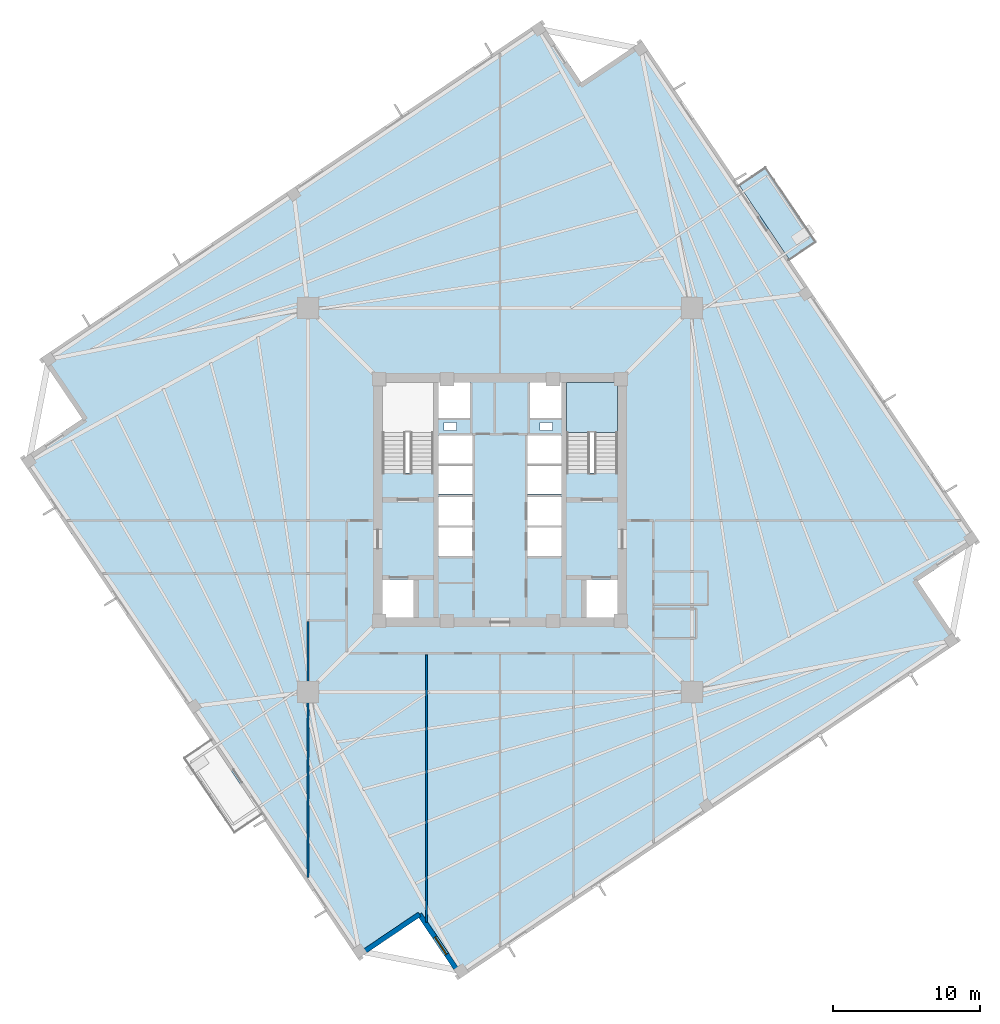
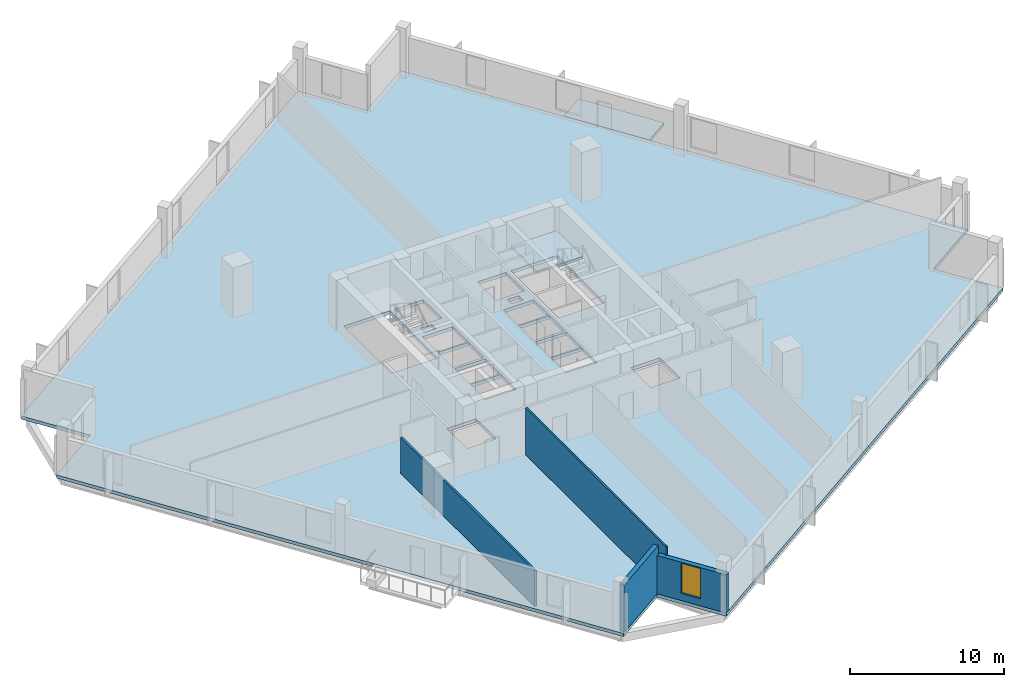
# One storey, part 2 of 9: 4 walls, 3 slabs, 1 window, 1 opening, 1 element without a shape of its own.
"""IFC4 building model written with IfcOpenShell, lengths in metres."""

from ifc_helpers import new_model, si_unit, direction, frame, frame_2d, origin, place, context, subcontext, project, spatial, polyline, rectangle, outline, extrude, source, transform, mapped, material, layer, layer_set, type_object, element, fill, aggregate, save


model = new_model("IFC4")

# Units and contexts
model_context = context("Model", 3, precision=1e-05, world=origin(), true_north=direction((0.0, 1.0)))
body_context = subcontext(model_context, "Body", "Model", "MODEL_VIEW")
ifc_project = project(units=[si_unit("LENGTHUNIT", "METRE"), si_unit("AREAUNIT", "SQUARE_METRE"), si_unit("VOLUMEUNIT", "CUBIC_METRE"), si_unit("PLANEANGLEUNIT", "RADIAN"), si_unit("MASSUNIT", "GRAM", prefix="KILO"), si_unit("THERMODYNAMICTEMPERATUREUNIT", "KELVIN")], contexts=[model_context])

# Site, building, storey
site_placement = place(None, origin())
site = spatial("IfcSite", under=ifc_project, at=site_placement, CompositionType="ELEMENT")
building_placement = place(site_placement, origin())
building = spatial("IfcBuilding", under=site, at=building_placement, Name="Kosmvard Interchange Tower", CompositionType="ELEMENT")
storey_placement = place(building_placement, frame((0.0, 0.0, 144.39990234375)))
storey = spatial("IfcBuildingStorey", under=building, at=storey_placement, Name="L34", CompositionType="ELEMENT", Elevation=144.39990234375)

# Slab
ifc_material_1 = material(Name="Concrete C50/60", Category="concrete")
ifc_layer_1 = layer(ifc_material_1, 0.260009765625, Name="Concrete C50/60")
ifc_layer_set_1 = layer_set([ifc_layer_1], Name="Concrete C50/60")
slab_type_1 = type_object("IfcSlabType", Name="Mid-Rise Office Composite Slab 260 C50/60", PredefinedType="FLOOR", material=ifc_layer_set_1)
slab_1_placement = place(storey_placement, frame((0.0, 0.0, -0.260009765625)))
element("IfcSlab", 1, at=slab_1_placement, inside=storey, type_object=slab_type_1, Name="L34 Structural Floor Slab", PredefinedType="FLOOR", context=body_context, shape_type="SweptSolid", body=[
    extrude(outline(polyline([(-2.73583984375, -32.60400390625), (31.254638671875, -9.677001953125), (28.458740234375, -5.53173828125), (32.60400390625, -2.73583984375), (9.677001953125, 31.254638671875), (5.53173828125, 28.458740234375), (2.73583984375, 32.60400390625), (-31.254638671875, 9.677001953125), (-28.458740234375, 5.53173828125), (-32.60400390625, 2.73583984375), (-9.677001953125, -31.254638671875), (-5.53173828125, -28.458740234375), (-2.73583984375, -32.60400390625)]), holes=[polyline([(-8.0, 1.8349609375), (-4.5400390625, 1.8349609375), (-4.5400390625, 8.0), (-8.0, 8.0), (-8.0, 1.8349609375)]), polyline([(4.5400390625, 1.8349609375), (8.0, 1.8349609375), (8.0, 8.0), (4.5400390625, 8.0), (4.5400390625, 1.8349609375)]), polyline([(-8.0, -8.0), (-5.800048828125, -8.0), (-5.800048828125, -5.39990234375), (-8.0, -5.39990234375), (-8.0, -8.0)]), polyline([(5.800048828125, -8.0), (8.0, -8.0), (8.0, -5.39990234375), (5.800048828125, -5.39990234375), (5.800048828125, -8.0)]), polyline([(-4.179931640625, -3.800048828125), (-1.8798828125, -3.800048828125), (-1.8798828125, -1.860107421875), (-4.179931640625, -1.860107421875), (-4.179931640625, -3.800048828125)]), polyline([(-4.179931640625, -1.739990234375), (-1.8798828125, -1.739990234375), (-1.8798828125, 0.199951171875), (-4.179931640625, 0.199951171875), (-4.179931640625, -1.739990234375)]), polyline([(1.8798828125, -3.800048828125), (4.179931640625, -3.800048828125), (4.179931640625, -1.860107421875), (1.8798828125, -1.860107421875), (1.8798828125, -3.800048828125)]), polyline([(1.8798828125, -1.739990234375), (4.179931640625, -1.739990234375), (4.179931640625, 0.199951171875), (1.8798828125, 0.199951171875), (1.8798828125, -1.739990234375)]), polyline([(-4.179931640625, 0.39990234375), (-1.8798828125, 0.39990234375), (-1.8798828125, 2.340087890625), (-4.179931640625, 2.340087890625), (-4.179931640625, 0.39990234375)]), polyline([(-4.179931640625, 2.4599609375), (-1.8798828125, 2.4599609375), (-1.8798828125, 4.39990234375), (-4.179931640625, 4.39990234375), (-4.179931640625, 2.4599609375)]), polyline([(1.8798828125, 0.39990234375), (4.179931640625, 0.39990234375), (4.179931640625, 2.340087890625), (1.8798828125, 2.340087890625), (1.8798828125, 0.39990234375)]), polyline([(1.8798828125, 2.4599609375), (4.179931640625, 2.4599609375), (4.179931640625, 4.39990234375), (1.8798828125, 4.39990234375), (1.8798828125, 2.4599609375)]), polyline([(-4.179931640625, 5.60009765625), (-2.0400390625, 5.60009765625), (-2.0400390625, 8.0), (-4.179931640625, 8.0), (-4.179931640625, 5.60009765625)]), polyline([(2.0400390625, 5.60009765625), (4.179931640625, 5.60009765625), (4.179931640625, 8.0), (2.0400390625, 8.0), (2.0400390625, 5.60009765625)]), polyline([(-3.81494140625, 4.739990234375), (-2.965087890625, 4.739990234375), (-2.965087890625, 5.2900390625), (-3.81494140625, 5.2900390625), (-3.81494140625, 4.739990234375)]), polyline([(2.715087890625, 4.739990234375), (3.56494140625, 4.739990234375), (3.56494140625, 5.2900390625), (2.715087890625, 5.2900390625), (2.715087890625, 4.739990234375)])]), origin(), (0.0, 0.0, 1.0), 0.260009765625),
])

# Stair, slab
stair_type = type_object("IfcStairType", Name="Dog-Leg Core Exit Stair H4000 C50/60", PredefinedType="HALF_TURN_STAIR", material=ifc_material_1)
stair_placement = place(storey_placement, origin())
stair = element("IfcStair", 2, at=stair_placement, inside=storey, type_object=stair_type, Name="L34 Protected Exit Stair ST-2", PredefinedType="HALF_TURN_STAIR")
ifc_layer_2 = layer(ifc_material_1, 0.199951171875, Name="Concrete C50/60")
ifc_layer_set_2 = layer_set([ifc_layer_2], Name="Concrete C50/60")
slab_type_2 = type_object("IfcSlabType", Name="Stair Half-Landing Slab 200 C50/60", PredefinedType="LANDING", material=ifc_layer_set_2)
slab_2_placement = place(storey_placement, frame((0.0, 0.0, 1.800048828125)))
slab_2 = element("IfcSlab", 3, at=slab_2_placement, type_object=slab_type_2, Name="ST-2 landing 1", PredefinedType="LANDING", context=body_context, shape_type="SweptSolid", body=[
    extrude(outline(polyline([(8.0, 4.60009765625), (8.0, 8.0), (4.5400390625, 8.0), (4.5400390625, 4.60009765625), (8.0, 4.60009765625)])), origin(), (0.0, 0.0, 1.0), 0.199951171875),
])
aggregate(stair, [slab_2])

# Slab
ifc_layer_3 = layer(ifc_material_1, 0.22998046875, Name="Concrete C50/60")
ifc_layer_set_3 = layer_set([ifc_layer_3], Name="Concrete C50/60")
slab_type_3 = type_object("IfcSlabType", Name="Tree-Planter Cantilever Balcony Slab 230 C50/60", PredefinedType="FLOOR", material=ifc_layer_set_3)
slab_3_placement = place(storey_placement, frame((0.0, 0.0, -0.22998046875)))
element("IfcSlab", 4, at=slab_3_placement, inside=storey, type_object=slab_type_3, Name="L34 Outdoor Terrace Balcony Slab BAL-L34-E", PredefinedType="FLOOR", context=body_context, shape_type="SweptSolid", body=[
    extrude(outline(polyline([(19.742431640625, 16.33203125), (21.56640625, 17.562255859375), (18.099365234375, 22.702392578125), (16.275390625, 21.47216796875), (19.742431640625, 16.33203125)])), origin(), (0.0, 0.0, 1.0), 0.22998046875),
])

# Walls
ifc_material_2 = material(Name="Acoustic gypsum partition system")
ifc_layer_4 = layer(ifc_material_2, 0.14990234375, Name="Acoustic gypsum partition system")
ifc_layer_set_4 = layer_set([ifc_layer_4], Name="Acoustic gypsum partition system")
wall_type_1 = type_object("IfcWallType", Name="Acoustic Suite & Meeting Partition 150", PredefinedType="PARTITIONING", material=ifc_layer_set_4)
wall_1_placement = place(storey_placement, frame((-13.0810546875, -8.27490234375, 0.0), z_axis=(0.0, 0.0, 1.0), x_axis=(0.0, -1.0, 0.0)))
element("IfcWall", 5, at=wall_1_placement, inside=storey, type_object=wall_type_1, Name="L34 Room Partition 05.1", PredefinedType="PARTITIONING", context=body_context, shape_type="SweptSolid", body=[
    extrude(rectangle(XDim=17.44140625, YDim=0.14990234375, at=frame_2d((8.720703125, 0.0))), origin(), (0.0, 0.0, 1.0), 2.840087890625),
])
ifc_material_3 = material(Name="Precast concrete C45/55", Category="concrete")
ifc_layer_5 = layer(ifc_material_3, 0.340087890625, Name="Precast concrete C45/55")
ifc_layer_set_5 = layer_set([ifc_layer_5], Name="Precast concrete C45/55")
wall_type_2 = type_object("IfcWallType", Name="Mid Tower Precast Pier Wall 340 C45/55", PredefinedType="STANDARD", material=ifc_layer_set_5)
wall_2_placement = place(storey_placement, frame((-9.631103515625, -31.018798828125, 0.0), z_axis=(0.0, 0.0, 1.0), x_axis=(0.829025804298, 0.559210350234, 0.0)))
element("IfcWall", 6, at=wall_2_placement, inside=storey, type_object=wall_type_2, Name="L34 Precast Facade Wall N-SW1", PredefinedType="STANDARD", context=body_context, shape_type="SweptSolid", body=[
    extrude(rectangle(XDim=5.000244140625, YDim=0.340087890625, at=frame_2d((2.5, 0.0))), origin(), (0.0, 0.0, 1.0), 3.739990234375),
])

# Wall, opening, window
wall_3_placement = place(storey_placement, frame((-5.48583984375, -28.22265625, 0.0), z_axis=(0.0, 0.0, 1.0), x_axis=(0.559171107879, -0.82905227345, 0.0)))
wall_3 = element("IfcWall", 7, at=wall_3_placement, inside=storey, type_object=wall_type_2, Name="L34 Precast Facade Wall N-SW2", PredefinedType="STANDARD", context=body_context, shape_type="SweptSolid", body=[
    extrude(rectangle(XDim=5.169921875, YDim=0.340087890625, at=frame_2d((2.5849609375, 0.0))), origin(), (0.0, 0.0, 1.0), 3.0400390625),
])
opening_placement = place(wall_3_placement, frame((1.885009765625, 0.0, 0.56005859375)))
opening = element("IfcOpeningElement", 8, at=opening_placement, cuts=wall_3, Name="Opening L34-W24", PredefinedType="OPENING", context=body_context, shape_type="SweptSolid", body=[
    extrude(rectangle(XDim=1.39990234375, YDim=2.39990234375, at=frame_2d((0.699951171875, 1.199951171875))), frame((0.0, 0.18017578125, 0.0), z_axis=(0.0, -1.0, 0.0), x_axis=(1.0, 0.0, 0.0)), (0.0, 0.0, 1.0), 0.360107421875),
])
ifc_material_4 = material(Name="Low-E solar-control double glazing", Category="glass")
window_type = type_object("IfcWindowType", Name="Notched Corner Feature Window 1400x2400", PartitioningType="SINGLE_PANEL", PredefinedType="WINDOW", material=ifc_material_4)
shared_shape = source(origin(), body_context, "Body", "SweptSolid", [
    extrude(rectangle(XDim=1.39990234375, YDim=2.39990234375, at=frame_2d((0.699951171875, 1.199951171875))), frame((0.0, 0.030029296875, 0.0), z_axis=(0.0, -1.0, 0.0), x_axis=(1.0, 0.0, 0.0)), (0.0, 0.0, 1.0), 0.06005859375),
])
window_placement = place(opening_placement, origin())
window = element("IfcWindow", 9, at=window_placement, inside=storey, type_object=window_type, Name="L34 Corner Notch Window 24", OverallHeight=2.39990234375, OverallWidth=1.39990234375, PartitioningType="SINGLE_PANEL", PredefinedType="WINDOW", context=body_context, shape_type="MappedRepresentation", body=[
    mapped(shared_shape, transform((0.0, 0.0, 0.0), scale=1.0)),
])
fill(opening, window)

# Wall
ifc_material_5 = material(Name="Gypsum board partition system")
ifc_layer_6 = layer(ifc_material_5, 0.1201171875, Name="Gypsum board partition system")
ifc_layer_set_6 = layer_set([ifc_layer_6], Name="Gypsum board partition system")
wall_type_3 = type_object("IfcWallType", Name="Office Cellular Partition 120", PredefinedType="PARTITIONING", material=ifc_layer_set_6)
wall_4_placement = place(storey_placement, frame((-5.0, -28.75537109375, 0.0), z_axis=(0.0, 0.0, 1.0), x_axis=(0.0, 1.0, 0.0)))
element("IfcWall", 10, at=wall_4_placement, inside=storey, type_object=wall_type_3, Name="L34 Room Partition 07.1", PredefinedType="PARTITIONING", context=body_context, shape_type="SweptSolid", body=[
    extrude(rectangle(XDim=18.21044921875, YDim=0.1201171875, at=frame_2d((9.105224609375, 0.0))), origin(), (0.0, 0.0, 1.0), 3.739990234375),
])

save(model, "model.ifc")
